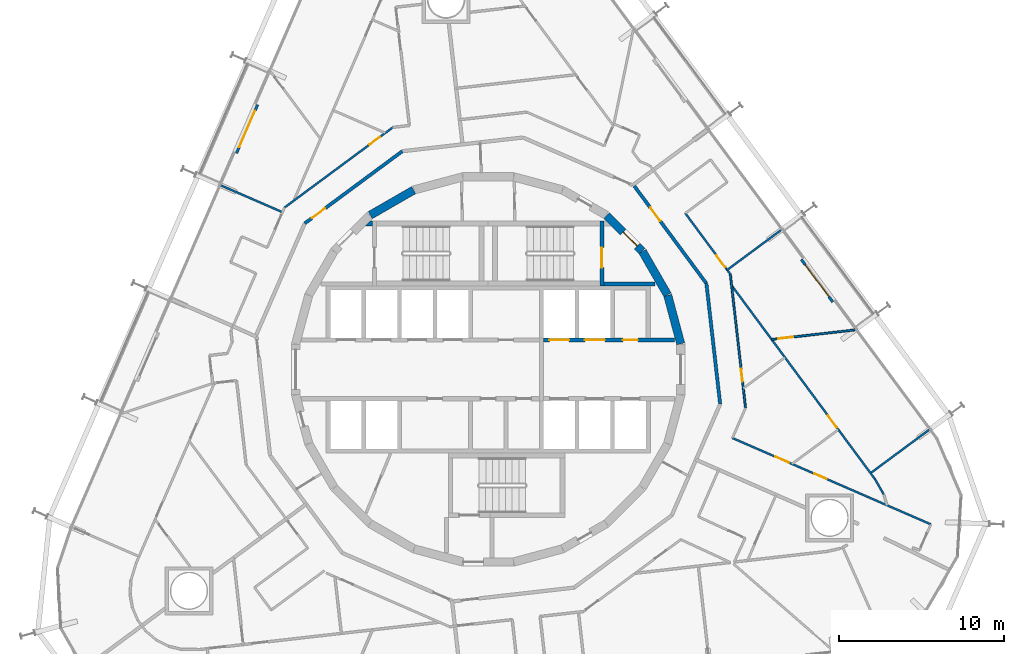
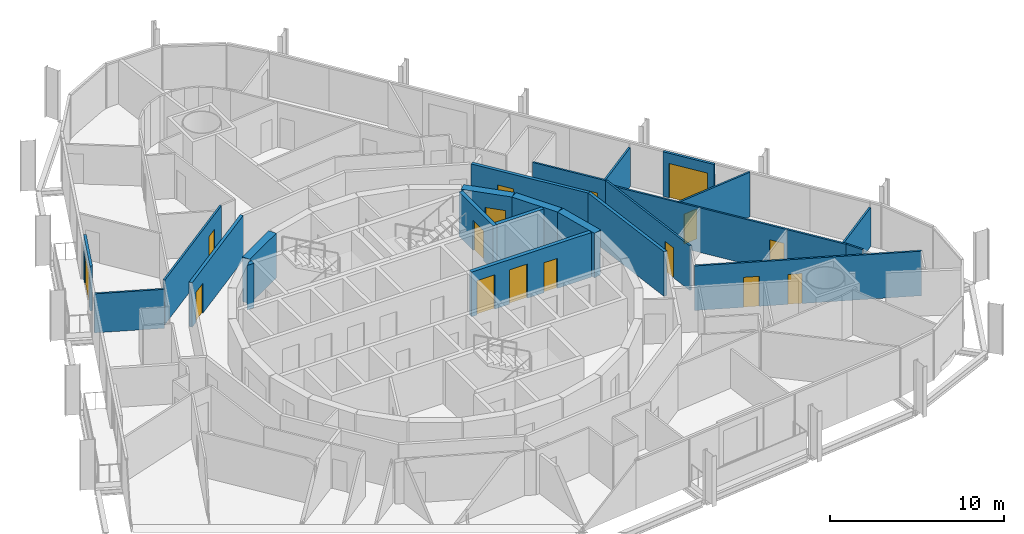
# One storey, part 20 of 23: 24 walls, 16 doors, 16 openings.
"""IFC4 building model written with IfcOpenShell, lengths in metres."""

from ifc_helpers import new_model, si_unit, direction, frame, frame_2d, origin, place, context, subcontext, project, spatial, polyline, rectangle, outline, extrude, material, layer, layer_set, type_object, element, fill, save


model = new_model("IFC4")

# Units and contexts
model_context = context("Model", 3, precision=1e-05, world=origin(), true_north=direction((0.0, 1.0)))
body_context = subcontext(model_context, "Body", "Model", "MODEL_VIEW")
ifc_project = project(units=[si_unit("LENGTHUNIT", "METRE"), si_unit("AREAUNIT", "SQUARE_METRE"), si_unit("VOLUMEUNIT", "CUBIC_METRE"), si_unit("PLANEANGLEUNIT", "RADIAN"), si_unit("MASSUNIT", "GRAM", prefix="KILO")], contexts=[model_context])

# Site, building, storey
site_placement = place(None, origin())
site = spatial("IfcSite", under=ifc_project, at=site_placement, CompositionType="ELEMENT")
building_placement = place(site_placement, origin())
building = spatial("IfcBuilding", under=site, at=building_placement, Name="Spindle Arch Residences", CompositionType="ELEMENT")
storey_placement = place(building_placement, frame((0.0, 0.0, 83.699951171875)))
storey = spatial("IfcBuildingStorey", under=building, at=storey_placement, Name="L19", CompositionType="ELEMENT", Elevation=83.699951171875)

# Walls
ifc_material_1 = material(Name="Concrete C50/60", Category="concrete")
ifc_layer_1 = layer(ifc_material_1, 0.5)
ifc_layer_set_1 = layer_set([ifc_layer_1], Name="Core outline wall 500")
wall_type_1 = type_object("IfcWallType", Name="Core outline wall 500", PredefinedType="SHEAR", material=ifc_layer_set_1)
for number, where, z_axis, x_axis, name in (
    (1, (11.642822265625, 1.5498046875, 0.0), (0.0, 0.0, 1.0), (-0.258734743916, 0.965948410781, 0.0), "Core outline wall 7"),
    (2, (10.84521484375, 4.510498046875, 0.0), (0.0, 0.0, 1.0), (-0.500087131594, 0.865975092491, 0.0), "Core outline wall 8"),
):
    element("IfcWall", number, at=place(storey_placement, frame(where, z_axis=z_axis, x_axis=x_axis)), inside=storey, type_object=wall_type_1, Name=name, PredefinedType="SHEAR", context=body_context, shape_type="SweptSolid", body=[
        extrude(rectangle(XDim=3.03271484375, YDim=0.5, at=frame_2d((1.516357421875, 0.0))), origin(), (0.0, 0.0, 1.0), 3.1201171875),
    ])

# Wall, opening, door
wall_1_placement = place(storey_placement, frame((9.30810546875, 7.163818359375, 0.0), z_axis=(0.0, 0.0, 1.0), x_axis=(-0.707106781187, 0.707106781187, 0.0)))
wall_1 = element("IfcWall", 3, at=wall_1_placement, inside=storey, type_object=wall_type_1, Name="Core outline wall 9", PredefinedType="SHEAR", context=body_context, shape_type="SweptSolid", body=[
    extrude(rectangle(XDim=3.032470703125, YDim=0.5, at=frame_2d((1.51611328125, 0.0))), origin(), (0.0, 0.0, 1.0), 3.1201171875),
])
opening_1_placement = place(wall_1_placement, frame((0.416259765625, 0.0, 0.0)))
opening_1 = element("IfcOpeningElement", 4, at=opening_1_placement, cuts=wall_1, Name="Opening R2A0-AD01", PredefinedType="OPENING", context=body_context, shape_type="SweptSolid", body=[
    extrude(rectangle(XDim=1.199951171875, YDim=2.10009765625, at=frame_2d((0.60009765625, 1.050048828125))), frame((0.0, 0.260009765625, 0.0), z_axis=(0.0, -1.0, 0.0), x_axis=(1.0, 0.0, 0.0)), (0.0, 0.0, 1.0), 0.52001953125),
])
ifc_material_2 = material(Name="Steel, fire-resisting door", Category="steel")
door_type_1 = type_object("IfcDoorType", Name="Stair airlock door 1200x2100", OperationType="SINGLE_SWING_LEFT", PredefinedType="DOOR", material=ifc_material_2)
door_1_placement = place(opening_1_placement, origin())
door_1 = element("IfcDoor", 5, at=door_1_placement, inside=storey, type_object=door_type_1, Name="Stair airlock door R2A0-AD01", OperationType="SINGLE_SWING_RIGHT", OverallHeight=2.10009765625, OverallWidth=1.199951171875, PredefinedType="DOOR", context=body_context, shape_type="SweptSolid", body=[
    extrude(rectangle(XDim=1.199951171875, YDim=2.10009765625, at=frame_2d((0.60009765625, 1.050048828125))), frame((0.0, 0.02490234375, 0.0), z_axis=(0.0, -1.0, 0.0), x_axis=(1.0, 0.0, 0.0)), (0.0, 0.0, 1.0), 0.050048828125),
])
fill(opening_1, door_1)

# Walls
wall_2_placement = place(storey_placement, frame((-4.510498046875, 10.84521484375, 0.0), z_axis=(0.0, 0.0, 1.0), x_axis=(-0.865975092491, -0.500087131594, 0.0)))
element("IfcWall", 6, at=wall_2_placement, inside=storey, type_object=wall_type_1, Name="Core outline wall 14", PredefinedType="SHEAR", context=body_context, shape_type="SweptSolid", body=[
    extrude(rectangle(XDim=3.03271484375, YDim=0.5, at=frame_2d((1.516357421875, 0.0))), origin(), (0.0, 0.0, 1.0), 3.1201171875),
])
ifc_material_3 = material(Name="Calcium silicate block, plastered")
ifc_layer_2 = layer(ifc_material_3, 0.199951171875)
ifc_layer_set_2 = layer_set([ifc_layer_2], Name="Corridor wall 200")
wall_type_2 = type_object("IfcWallType", Name="Corridor wall 200", PredefinedType="STANDARD", material=ifc_layer_set_2)
wall_3_placement = place(storey_placement, frame((14.027587890625, -2.096435546875, 0.0), z_axis=(0.0, 0.0, 1.0), x_axis=(-0.113226782163, 0.993569170114, 0.0)))
element("IfcWall", 7, at=wall_3_placement, inside=storey, type_object=wall_type_2, Name="Corridor wall R2A0-W005", PredefinedType="STANDARD", context=body_context, shape_type="SweptSolid", body=[
    extrude(rectangle(XDim=7.341796875, YDim=0.199951171875, at=frame_2d((3.6708984375, 0.0))), origin(), (0.0, 0.0, 1.0), 3.1201171875),
])

# Wall, opening, door
wall_4_placement = place(storey_placement, frame((13.1962890625, 5.1982421875, 0.0), z_axis=(0.0, 0.0, 1.0), x_axis=(-0.594805187394, 0.803869883159, 0.0)))
wall_4 = element("IfcWall", 8, at=wall_4_placement, inside=storey, type_object=wall_type_2, Name="Corridor wall R2A0-W006", PredefinedType="STANDARD", context=body_context, shape_type="SweptSolid", body=[
    extrude(rectangle(XDim=7.341796875, YDim=0.199951171875, at=frame_2d((3.6708984375, 0.0))), origin(), (0.0, 0.0, 1.0), 3.1201171875),
])
opening_2_placement = place(wall_4_placement, frame((4.699951171875, 0.0, 0.0)))
opening_2 = element("IfcOpeningElement", 9, at=opening_2_placement, cuts=wall_4, Name="Opening R2A0-FD01", PredefinedType="OPENING", context=body_context, shape_type="SweptSolid", body=[
    extrude(rectangle(XDim=1.0, YDim=2.10009765625, at=frame_2d((0.5, 1.050048828125))), frame((0.0, 0.10986328125, 0.0), z_axis=(0.0, -1.0, 0.0), x_axis=(1.0, 0.0, 0.0)), (0.0, 0.0, 1.0), 0.219970703125),
])
ifc_material_4 = material(Name="Timber, fire-resisting door set", Category="wood")
door_type_2 = type_object("IfcDoorType", Name="Flat entrance door 1000x2100", OperationType="NOTDEFINED", PredefinedType="DOOR", material=ifc_material_4)
door_2_placement = place(opening_2_placement, origin())
door_2 = element("IfcDoor", 10, at=door_2_placement, inside=storey, type_object=door_type_2, Name="Flat entrance door R2A0-FD01", OperationType="SINGLE_SWING_RIGHT", OverallHeight=2.10009765625, OverallWidth=1.0, PredefinedType="DOOR", context=body_context, shape_type="SweptSolid", body=[
    extrude(rectangle(XDim=1.0, YDim=2.10009765625, at=frame_2d((0.5, 1.050048828125))), frame((0.0, 0.02490234375, 0.0), z_axis=(0.0, -1.0, 0.0), x_axis=(1.0, 0.0, 0.0)), (0.0, 0.0, 1.0), 0.050048828125),
])
fill(opening_2, door_2)

wall_5_placement = place(storey_placement, frame((-5.1982421875, 13.1962890625, 0.0), z_axis=(0.0, 0.0, 1.0), x_axis=(-0.803869883159, -0.594805187394, 0.0)))
wall_5 = element("IfcWall", 11, at=wall_5_placement, inside=storey, type_object=wall_type_2, Name="Corridor wall R2A0-W009", PredefinedType="STANDARD", context=body_context, shape_type="SweptSolid", body=[
    extrude(rectangle(XDim=7.341796875, YDim=0.199951171875, at=frame_2d((3.6708984375, 0.0))), origin(), (0.0, 0.0, 1.0), 3.1201171875),
])
opening_3_placement = place(wall_5_placement, frame((5.800048828125, 0.0, 0.0)))
opening_3 = element("IfcOpeningElement", 12, at=opening_3_placement, cuts=wall_5, Name="Opening R2A0-FD03", PredefinedType="OPENING", context=body_context, shape_type="SweptSolid", body=[
    extrude(rectangle(XDim=1.0, YDim=2.10009765625, at=frame_2d((0.5, 1.050048828125))), frame((0.0, 0.10986328125, 0.0), z_axis=(0.0, -1.0, 0.0), x_axis=(1.0, 0.0, 0.0)), (0.0, 0.0, 1.0), 0.219970703125),
])
door_3_placement = place(opening_3_placement, origin())
door_3 = element("IfcDoor", 13, at=door_3_placement, inside=storey, type_object=door_type_2, Name="Flat entrance door R2A0-FD03", OperationType="SINGLE_SWING_LEFT", OverallHeight=2.10009765625, OverallWidth=1.0, PredefinedType="DOOR", context=body_context, shape_type="SweptSolid", body=[
    extrude(rectangle(XDim=1.0, YDim=2.10009765625, at=frame_2d((0.5, 1.050048828125))), frame((0.0, 0.02490234375, 0.0), z_axis=(0.0, -1.0, 0.0), x_axis=(1.0, 0.0, 0.0)), (0.0, 0.0, 1.0), 0.050048828125),
])
fill(opening_3, door_3)

# Wall, openings, doors
ifc_material_5 = material(Name="Concrete C40/50", Category="concrete")
ifc_layer_3 = layer(ifc_material_5, 0.25)
ifc_layer_set_3 = layer_set([ifc_layer_3], Name="Fire-lift lobby wall 250")
wall_type_3 = type_object("IfcWallType", Name="Fire-lift lobby wall 250", PredefinedType="SHEAR", material=ifc_layer_set_3)
wall_6_placement = place(storey_placement, frame((3.35009765625, 1.77490234375, 0.0), z_axis=(0.0, 0.0, 1.0), x_axis=(1.0, 0.0, 0.0)))
wall_6 = element("IfcWall", 14, at=wall_6_placement, inside=storey, type_object=wall_type_3, Name="Lift shaft front wall NE", PredefinedType="SHEAR", context=body_context, shape_type="SweptSolid", body=[
    extrude(rectangle(XDim=7.929931640625, YDim=0.25, at=frame_2d((3.96484375, 0.0))), origin(), (0.0, 0.0, 1.0), 3.1201171875),
])
opening_4_placement = place(wall_6_placement, frame((0.35009765625, 0.0, 0.0)))
opening_4 = element("IfcOpeningElement", 15, at=opening_4_placement, cuts=wall_6, Name="Opening R2A0-SLD01", PredefinedType="OPENING", context=body_context, shape_type="SweptSolid", body=[
    extrude(rectangle(XDim=1.199951171875, YDim=2.39990234375, at=frame_2d((0.60009765625, 1.199951171875))), frame((0.0, 0.135009765625, 0.0), z_axis=(0.0, -1.0, 0.0), x_axis=(1.0, 0.0, 0.0)), (0.0, 0.0, 1.0), 0.27001953125),
])
opening_5_placement = place(wall_6_placement, frame((2.5, 0.0, 0.0)))
opening_5 = element("IfcOpeningElement", 16, at=opening_5_placement, cuts=wall_6, Name="Opening R2A0-SLD02", PredefinedType="OPENING", context=body_context, shape_type="SweptSolid", body=[
    extrude(rectangle(XDim=1.199951171875, YDim=2.39990234375, at=frame_2d((0.60009765625, 1.199951171875))), frame((0.0, 0.135009765625, 0.0), z_axis=(0.0, -1.0, 0.0), x_axis=(1.0, 0.0, 0.0)), (0.0, 0.0, 1.0), 0.27001953125),
])
opening_6_placement = place(wall_6_placement, frame((4.800048828125, 0.0, 0.0)))
opening_6 = element("IfcOpeningElement", 17, at=opening_6_placement, cuts=wall_6, Name="Opening R2A0-WD02", PredefinedType="OPENING", context=body_context, shape_type="SweptSolid", body=[
    extrude(rectangle(XDim=0.89990234375, YDim=2.10009765625, at=frame_2d((0.449951171875, 1.050048828125))), frame((0.0, 0.135009765625, 0.0), z_axis=(0.0, -1.0, 0.0), x_axis=(1.0, 0.0, 0.0)), (0.0, 0.0, 1.0), 0.27001953125),
])
ifc_material_6 = material(Name="Steel, fire-resisting landing door", Category="steel")
door_type_3 = type_object("IfcDoorType", Name="Service lift landing door 1200x2400", OperationType="DOUBLE_DOOR_SLIDING", PredefinedType="DOOR", material=ifc_material_6)
door_4_placement = place(opening_4_placement, origin())
door_4 = element("IfcDoor", 18, at=door_4_placement, inside=storey, type_object=door_type_3, Name="Service lift landing door R2A0-SLD01", OperationType="DOUBLE_DOOR_SLIDING", OverallHeight=2.39990234375, OverallWidth=1.199951171875, PredefinedType="DOOR", context=body_context, shape_type="SweptSolid", body=[
    extrude(rectangle(XDim=1.199951171875, YDim=2.39990234375, at=frame_2d((0.60009765625, 1.199951171875))), frame((0.0, 0.02490234375, 0.0), z_axis=(0.0, -1.0, 0.0), x_axis=(1.0, 0.0, 0.0)), (0.0, 0.0, 1.0), 0.050048828125),
])
fill(opening_4, door_4)
door_5_placement = place(opening_5_placement, origin())
door_5 = element("IfcDoor", 19, at=door_5_placement, inside=storey, type_object=door_type_3, Name="Service lift landing door R2A0-SLD02", OperationType="DOUBLE_DOOR_SLIDING", OverallHeight=2.39990234375, OverallWidth=1.199951171875, PredefinedType="DOOR", context=body_context, shape_type="SweptSolid", body=[
    extrude(rectangle(XDim=1.199951171875, YDim=2.39990234375, at=frame_2d((0.60009765625, 1.199951171875))), frame((0.0, 0.02490234375, 0.0), z_axis=(0.0, -1.0, 0.0), x_axis=(1.0, 0.0, 0.0)), (0.0, 0.0, 1.0), 0.050048828125),
])
fill(opening_5, door_5)
ifc_material_7 = material(Name="Steel, fire-resisting door", Category="steel")
door_type_4 = type_object("IfcDoorType", Name="Service room door 900x2100", OperationType="SINGLE_SWING_LEFT", PredefinedType="DOOR", material=ifc_material_7)
door_6_placement = place(opening_6_placement, origin())
door_6 = element("IfcDoor", 20, at=door_6_placement, inside=storey, type_object=door_type_4, Name="Service room door R2A0-WD02", OperationType="SINGLE_SWING_LEFT", OverallHeight=2.10009765625, OverallWidth=0.89990234375, PredefinedType="DOOR", context=body_context, shape_type="SweptSolid", body=[
    extrude(rectangle(XDim=0.89990234375, YDim=2.10009765625, at=frame_2d((0.449951171875, 1.050048828125))), frame((0.0, 0.02490234375, 0.0), z_axis=(0.0, -1.0, 0.0), x_axis=(1.0, 0.0, 0.0)), (0.0, 0.0, 1.0), 0.050048828125),
])
fill(opening_6, door_6)

# Wall, opening, door
ifc_material_8 = material(Name="Plasterboard on steel studs", Category="steel")
ifc_layer_4 = layer(ifc_material_8, 0.1201171875)
ifc_layer_set_4 = layer_set([ifc_layer_4], Name="Flat partition 120")
wall_type_4 = type_object("IfcWallType", Name="Flat partition 120", PredefinedType="PARTITIONING", material=ifc_layer_set_4)
wall_7_placement = place(storey_placement, frame((15.563232421875, -2.325927734375, 0.0), z_axis=(0.0, 0.0, 1.0), x_axis=(-0.11320423706, 0.993571739087, 0.0)))
wall_7 = element("IfcWall", 21, at=wall_7_placement, inside=storey, type_object=wall_type_4, Name="Flat partition R2A0-W028", PredefinedType="PARTITIONING", context=body_context, shape_type="SweptSolid", body=[
    extrude(rectangle(XDim=8.1455078125, YDim=0.1201171875, at=frame_2d((4.07275390625, 0.0))), origin(), (0.0, 0.0, 1.0), 3.1201171875),
])
opening_7_placement = place(wall_7_placement, frame((1.592041015625, 0.0, 0.0)))
opening_7 = element("IfcOpeningElement", 22, at=opening_7_placement, cuts=wall_7, Name="Opening R2A0-BD01", PredefinedType="OPENING", context=body_context, shape_type="SweptSolid", body=[
    extrude(rectangle(XDim=0.800048828125, YDim=2.10009765625, at=frame_2d((0.39990234375, 1.050048828125))), frame((0.0, 0.070068359375, 0.0), z_axis=(0.0, -1.0, 0.0), x_axis=(1.0, 0.0, 0.0)), (0.0, 0.0, 1.0), 0.14013671875),
])
ifc_material_9 = material(Name="Timber door set", Category="wood")
door_type_5 = type_object("IfcDoorType", Name="Bathroom door 800x2100", OperationType="NOTDEFINED", PredefinedType="DOOR", material=ifc_material_9)
door_7_placement = place(opening_7_placement, origin())
door_7 = element("IfcDoor", 23, at=door_7_placement, inside=storey, type_object=door_type_5, Name="Bathroom door R2A0-BD01", OperationType="SINGLE_SWING_LEFT", OverallHeight=2.10009765625, OverallWidth=0.800048828125, PredefinedType="DOOR", context=body_context, shape_type="SweptSolid", body=[
    extrude(rectangle(XDim=0.800048828125, YDim=2.10009765625, at=frame_2d((0.39990234375, 1.050048828125))), frame((0.0, 0.02490234375, 0.0), z_axis=(0.0, -1.0, 0.0), x_axis=(1.0, 0.0, 0.0)), (0.0, 0.0, 1.0), 0.050048828125),
])
fill(opening_7, door_7)

wall_8_placement = place(storey_placement, frame((14.64111328125, 5.767333984375, 0.0), z_axis=(0.0, 0.0, 1.0), x_axis=(-0.594785744505, 0.803884269117, 0.0)))
wall_8 = element("IfcWall", 24, at=wall_8_placement, inside=storey, type_object=wall_type_4, Name="Flat partition R2A0-W029", PredefinedType="PARTITIONING", context=body_context, shape_type="SweptSolid", body=[
    extrude(rectangle(XDim=4.573486328125, YDim=0.1201171875, at=frame_2d((2.28662109375, 0.0))), origin(), (0.0, 0.0, 1.0), 3.1201171875),
])
opening_8_placement = place(wall_8_placement, frame((0.513427734375, 0.0, 0.0)))
opening_8 = element("IfcOpeningElement", 25, at=opening_8_placement, cuts=wall_8, Name="Opening R2A0-ID01", PredefinedType="OPENING", context=body_context, shape_type="SweptSolid", body=[
    extrude(rectangle(XDim=0.89990234375, YDim=2.10009765625, at=frame_2d((0.449951171875, 1.050048828125))), frame((0.0, 0.070068359375, 0.0), z_axis=(0.0, -1.0, 0.0), x_axis=(1.0, 0.0, 0.0)), (0.0, 0.0, 1.0), 0.14013671875),
])
ifc_material_10 = material(Name="Timber door set", Category="wood")
door_type_6 = type_object("IfcDoorType", Name="Room door 900x2100", OperationType="NOTDEFINED", PredefinedType="DOOR", material=ifc_material_10)
door_8_placement = place(opening_8_placement, origin())
door_8 = element("IfcDoor", 26, at=door_8_placement, inside=storey, type_object=door_type_6, Name="Room door R2A0-ID01", OperationType="SINGLE_SWING_LEFT", OverallHeight=2.10009765625, OverallWidth=0.89990234375, PredefinedType="DOOR", context=body_context, shape_type="SweptSolid", body=[
    extrude(rectangle(XDim=0.89990234375, YDim=2.10009765625, at=frame_2d((0.449951171875, 1.050048828125))), frame((0.0, 0.02490234375, 0.0), z_axis=(0.0, -1.0, 0.0), x_axis=(1.0, 0.0, 0.0)), (0.0, 0.0, 1.0), 0.050048828125),
])
fill(opening_8, door_8)

# Wall, openings, doors
wall_9_placement = place(storey_placement, frame((26.770263671875, -9.369140625, 0.0), z_axis=(0.0, 0.0, 1.0), x_axis=(-0.917058488031, 0.39875271727, 0.0)))
wall_9 = element("IfcWall", 27, at=wall_9_placement, inside=storey, type_object=wall_type_4, Name="Flat partition R2A0-W036", PredefinedType="PARTITIONING", context=body_context, shape_type="SweptSolid", body=[
    extrude(rectangle(XDim=13.0859375, YDim=0.1201171875, at=frame_2d((6.54296875, 0.0))), origin(), (0.0, 0.0, 1.0), 3.1201171875),
])
opening_9_placement = place(wall_9_placement, frame((6.889404296875, 0.0, 0.0)))
opening_9 = element("IfcOpeningElement", 28, at=opening_9_placement, cuts=wall_9, Name="Opening R2A0-BD02", PredefinedType="OPENING", context=body_context, shape_type="SweptSolid", body=[
    extrude(rectangle(XDim=0.800048828125, YDim=2.10009765625, at=frame_2d((0.39990234375, 1.050048828125))), frame((0.0, 0.070068359375, 0.0), z_axis=(0.0, -1.0, 0.0), x_axis=(1.0, 0.0, 0.0)), (0.0, 0.0, 1.0), 0.14013671875),
])
opening_10_placement = place(wall_9_placement, frame((9.358154296875, 0.0, 0.0)))
opening_10 = element("IfcOpeningElement", 29, at=opening_10_placement, cuts=wall_9, Name="Opening R2A0-ID03", PredefinedType="OPENING", context=body_context, shape_type="SweptSolid", body=[
    extrude(rectangle(XDim=0.89990234375, YDim=2.10009765625, at=frame_2d((0.449951171875, 1.050048828125))), frame((0.0, 0.070068359375, 0.0), z_axis=(0.0, -1.0, 0.0), x_axis=(1.0, 0.0, 0.0)), (0.0, 0.0, 1.0), 0.14013671875),
])
door_9_placement = place(opening_9_placement, origin())
door_9 = element("IfcDoor", 30, at=door_9_placement, inside=storey, type_object=door_type_5, Name="Bathroom door R2A0-BD02", OperationType="SINGLE_SWING_LEFT", OverallHeight=2.10009765625, OverallWidth=0.800048828125, PredefinedType="DOOR", context=body_context, shape_type="SweptSolid", body=[
    extrude(rectangle(XDim=0.800048828125, YDim=2.10009765625, at=frame_2d((0.39990234375, 1.050048828125))), frame((0.0, 0.02490234375, 0.0), z_axis=(0.0, -1.0, 0.0), x_axis=(1.0, 0.0, 0.0)), (0.0, 0.0, 1.0), 0.050048828125),
])
fill(opening_9, door_9)
door_10_placement = place(opening_10_placement, origin())
door_10 = element("IfcDoor", 31, at=door_10_placement, inside=storey, type_object=door_type_6, Name="Room door R2A0-ID03", OperationType="SINGLE_SWING_LEFT", OverallHeight=2.10009765625, OverallWidth=0.89990234375, PredefinedType="DOOR", context=body_context, shape_type="SweptSolid", body=[
    extrude(rectangle(XDim=0.89990234375, YDim=2.10009765625, at=frame_2d((0.449951171875, 1.050048828125))), frame((0.0, 0.02490234375, 0.0), z_axis=(0.0, -1.0, 0.0), x_axis=(1.0, 0.0, 0.0)), (0.0, 0.0, 1.0), 0.050048828125),
])
fill(opening_10, door_10)

# Wall, opening, door
wall_10_placement = place(storey_placement, frame((21.201171875, -3.673583984375, 0.0), z_axis=(0.0, 0.0, 1.0), x_axis=(-0.594822450109, 0.803857109719, 0.0)))
wall_10 = element("IfcWall", 32, at=wall_10_placement, inside=storey, type_object=wall_type_4, Name="Flat partition R2A0-W038", PredefinedType="PARTITIONING", context=body_context, shape_type="SweptSolid", body=[
    extrude(rectangle(XDim=10.898193359375, YDim=0.1201171875, at=frame_2d((5.44921875, 0.0))), origin(), (0.0, 0.0, 1.0), 3.1201171875),
])
opening_11_placement = place(wall_10_placement, frame((0.199951171875, 0.0, 0.0)))
opening_11 = element("IfcOpeningElement", 33, at=opening_11_placement, cuts=wall_10, Name="Opening R2A0-ID04", PredefinedType="OPENING", context=body_context, shape_type="SweptSolid", body=[
    extrude(rectangle(XDim=0.89990234375, YDim=2.10009765625, at=frame_2d((0.449951171875, 1.050048828125))), frame((0.0, 0.070068359375, 0.0), z_axis=(0.0, -1.0, 0.0), x_axis=(1.0, 0.0, 0.0)), (0.0, 0.0, 1.0), 0.14013671875),
])
door_11_placement = place(opening_11_placement, origin())
door_11 = element("IfcDoor", 34, at=door_11_placement, inside=storey, type_object=door_type_6, Name="Room door R2A0-ID04", OperationType="SINGLE_SWING_LEFT", OverallHeight=2.10009765625, OverallWidth=0.89990234375, PredefinedType="DOOR", context=body_context, shape_type="SweptSolid", body=[
    extrude(rectangle(XDim=0.89990234375, YDim=2.10009765625, at=frame_2d((0.449951171875, 1.050048828125))), frame((0.0, 0.02490234375, 0.0), z_axis=(0.0, -1.0, 0.0), x_axis=(1.0, 0.0, 0.0)), (0.0, 0.0, 1.0), 0.050048828125),
])
fill(opening_11, door_11)

wall_11_placement = place(storey_placement, frame((17.140869140625, 1.813720703125, 0.0), z_axis=(0.0, 0.0, 1.0), x_axis=(0.993575814944, 0.113168458319, 0.0)))
wall_11 = element("IfcWall", 35, at=wall_11_placement, inside=storey, type_object=wall_type_4, Name="Flat partition R2A0-W041", PredefinedType="PARTITIONING", context=body_context, shape_type="SweptSolid", body=[
    extrude(rectangle(XDim=5.08056640625, YDim=0.1201171875, at=frame_2d((2.540283203125, 0.0))), origin(), (0.0, 0.0, 1.0), 3.1201171875),
])
opening_12_placement = place(wall_11_placement, frame((0.39990234375, 0.0, 0.0)))
opening_12 = element("IfcOpeningElement", 36, at=opening_12_placement, cuts=wall_11, Name="Opening R2A0-ID05", PredefinedType="OPENING", context=body_context, shape_type="SweptSolid", body=[
    extrude(rectangle(XDim=0.89990234375, YDim=2.10009765625, at=frame_2d((0.449951171875, 1.050048828125))), frame((0.0, 0.070068359375, 0.0), z_axis=(0.0, -1.0, 0.0), x_axis=(1.0, 0.0, 0.0)), (0.0, 0.0, 1.0), 0.14013671875),
])
door_12_placement = place(opening_12_placement, origin())
door_12 = element("IfcDoor", 37, at=door_12_placement, inside=storey, type_object=door_type_6, Name="Room door R2A0-ID05", OperationType="SINGLE_SWING_LEFT", OverallHeight=2.10009765625, OverallWidth=0.89990234375, PredefinedType="DOOR", context=body_context, shape_type="SweptSolid", body=[
    extrude(rectangle(XDim=0.89990234375, YDim=2.10009765625, at=frame_2d((0.449951171875, 1.050048828125))), frame((0.0, 0.02490234375, 0.0), z_axis=(0.0, -1.0, 0.0), x_axis=(1.0, 0.0, 0.0)), (0.0, 0.0, 1.0), 0.050048828125),
])
fill(opening_12, door_12)

# Walls
wall_12_placement = place(storey_placement, frame((21.201171875, -3.673583984375, 0.0), z_axis=(0.0, 0.0, 1.0), x_axis=(0.594805265457, -0.803869825398, 0.0)))
element("IfcWall", 38, at=wall_12_placement, inside=storey, type_object=wall_type_4, Name="Flat partition R2A0-W042", PredefinedType="PARTITIONING", context=body_context, shape_type="SweptSolid", body=[
    extrude(rectangle(XDim=3.678466796875, YDim=0.1201171875, at=frame_2d((1.83935546875, 0.0))), origin(), (0.0, 0.0, 1.0), 3.1201171875),
])
wall_13_placement = place(storey_placement, frame((23.38916015625, -6.630615234375, 0.0), z_axis=(0.0, 0.0, 1.0), x_axis=(0.497348044937, -0.867551106389, 0.0)))
element("IfcWall", 39, at=wall_13_placement, inside=storey, type_object=wall_type_4, Name="Flat partition R2A0-W043", PredefinedType="PARTITIONING", context=body_context, shape_type="SweptSolid", body=[
    extrude(rectangle(XDim=1.0869140625, YDim=0.1201171875, at=frame_2d((0.54345703125, 0.0))), origin(), (0.0, 0.0, 1.0), 3.1201171875),
])

# Wall, opening, door
wall_14_placement = place(storey_placement, frame((-5.767333984375, 14.64111328125, 0.0), z_axis=(0.0, 0.0, 1.0), x_axis=(-0.803853364238, -0.594827511807, 0.0)))
wall_14 = element("IfcWall", 40, at=wall_14_placement, inside=storey, type_object=wall_type_4, Name="Flat partition R2A0-W067", PredefinedType="PARTITIONING", context=body_context, shape_type="SweptSolid", body=[
    extrude(rectangle(XDim=8.1455078125, YDim=0.1201171875, at=frame_2d((4.07275390625, 0.0))), origin(), (0.0, 0.0, 1.0), 3.1201171875),
])
opening_13_placement = place(wall_14_placement, frame((0.9697265625, 0.0, 0.0)))
opening_13 = element("IfcOpeningElement", 41, at=opening_13_placement, cuts=wall_14, Name="Opening R2A0-BD04", PredefinedType="OPENING", context=body_context, shape_type="SweptSolid", body=[
    extrude(rectangle(XDim=0.800048828125, YDim=2.10009765625, at=frame_2d((0.39990234375, 1.050048828125))), frame((0.0, 0.070068359375, 0.0), z_axis=(0.0, -1.0, 0.0), x_axis=(1.0, 0.0, 0.0)), (0.0, 0.0, 1.0), 0.14013671875),
])
door_13_placement = place(opening_13_placement, origin())
door_13 = element("IfcDoor", 42, at=door_13_placement, inside=storey, type_object=door_type_5, Name="Bathroom door R2A0-BD04", OperationType="SINGLE_SWING_LEFT", OverallHeight=2.10009765625, OverallWidth=0.800048828125, PredefinedType="DOOR", context=body_context, shape_type="SweptSolid", body=[
    extrude(rectangle(XDim=0.800048828125, YDim=2.10009765625, at=frame_2d((0.39990234375, 1.050048828125))), frame((0.0, 0.02490234375, 0.0), z_axis=(0.0, -1.0, 0.0), x_axis=(1.0, 0.0, 0.0)), (0.0, 0.0, 1.0), 0.050048828125),
])
fill(opening_13, door_13)

# Walls
ifc_material_11 = material(Name="Plasterboard on steel studs", Category="steel")
ifc_layer_5 = layer(ifc_material_11, 0.1201171875)
ifc_layer_set_5 = layer_set([ifc_layer_5], Name="Flat partition 120 under beam 2730")
wall_type_5 = type_object("IfcWallType", Name="Flat partition 120 under beam 2730", PredefinedType="PARTITIONING", material=ifc_layer_set_5)
wall_15_placement = place(storey_placement, frame((17.716552734375, 8.432861328125, 0.0), z_axis=(0.0, 0.0, 1.0), x_axis=(-0.803853407146, -0.594827453821, 0.0)))
element("IfcWall", 43, at=wall_15_placement, inside=storey, type_object=wall_type_5, Name="Flat partition R2A0-W040", PredefinedType="PARTITIONING", context=body_context, shape_type="SweptSolid", body=[
    extrude(rectangle(XDim=4.0576171875, YDim=0.1201171875, at=frame_2d((2.02880859375, 0.0))), origin(), (0.0, 0.0, 1.0), 2.72998046875),
])
wall_16_placement = place(storey_placement, frame((26.6611328125, -3.6552734375, 0.0), z_axis=(0.0, 0.0, 1.0), x_axis=(-0.803825449575, -0.594865233995, 0.0)))
element("IfcWall", 44, at=wall_16_placement, inside=storey, type_object=wall_type_5, Name="Flat partition R2A0-W045", PredefinedType="PARTITIONING", context=body_context, shape_type="SweptSolid", body=[
    extrude(rectangle(XDim=4.400146484375, YDim=0.1201171875, at=frame_2d((2.2001953125, 0.0))), origin(), (0.0, 0.0, 1.0), 2.72998046875),
])
wall_17_placement = place(storey_placement, frame((-16.1611328125, 11.12646484375, 0.0), z_axis=(0.0, 0.0, 1.0), x_axis=(0.91705953326, -0.398750313425, 0.0)))
element("IfcWall", 45, at=wall_17_placement, inside=storey, type_object=wall_type_5, Name="Flat partition R2A0-W082", PredefinedType="PARTITIONING", context=body_context, shape_type="SweptSolid", body=[
    extrude(rectangle(XDim=4.057373046875, YDim=0.1201171875, at=frame_2d((2.02880859375, 0.0))), origin(), (0.0, 0.0, 1.0), 2.72998046875),
])

# Wall, opening, door
ifc_material_12 = material(Name="Non-combustible mineral wool insulated aluminium faced external wall (K0)", Category="aluminium")
ifc_layer_6 = layer(ifc_material_12, 0.159912109375)
ifc_layer_set_6 = layer_set([ifc_layer_6], Name="Insulated external wall panel 160")
wall_type_6 = type_object("IfcWallType", Name="Insulated external wall panel 160", PredefinedType="STANDARD", material=ifc_layer_set_6)
wall_18_placement = place(storey_placement, frame((20.840087890625, 4.076904296875, 0.0), z_axis=(0.0, 0.0, 1.0), x_axis=(-0.594824273168, 0.803855760725, 0.0)))
wall_18 = element("IfcWall", 46, at=wall_18_placement, inside=storey, type_object=wall_type_6, Name="External wall L19 bay 7", PredefinedType="STANDARD", context=body_context, shape_type="SweptSolid", body=[
    extrude(rectangle(XDim=3.2001953125, YDim=0.159912109375, at=frame_2d((1.60009765625, 0.0))), origin(), (0.0, 0.0, 1.0), 3.1201171875),
])
opening_14_placement = place(wall_18_placement, frame((0.39990234375, 0.0, 0.0)))
opening_14 = element("IfcOpeningElement", 47, at=opening_14_placement, cuts=wall_18, Name="Opening BD07", PredefinedType="OPENING", context=body_context, shape_type="SweptSolid", body=[
    extrude(rectangle(XDim=2.39990234375, YDim=2.39990234375, at=frame_2d((1.199951171875, 1.199951171875))), frame((0.0, 0.08984375, 0.0), z_axis=(0.0, -1.0, 0.0), x_axis=(1.0, 0.0, 0.0)), (0.0, 0.0, 1.0), 0.179931640625),
])
ifc_material_13 = material(Name="Bronze aluminium frame, tinted double glazing", Category="aluminium")
door_type_7 = type_object("IfcDoorType", Name="Sliding glazed balcony door 2400x2400", OperationType="DOUBLE_DOOR_SLIDING", PredefinedType="DOOR", material=ifc_material_13)
door_14_placement = place(opening_14_placement, origin())
door_14 = element("IfcDoor", 48, at=door_14_placement, inside=storey, type_object=door_type_7, Name="Balcony door BD07", OperationType="DOUBLE_DOOR_SLIDING", OverallHeight=2.39990234375, OverallWidth=2.39990234375, PredefinedType="DOOR", context=body_context, shape_type="SweptSolid", body=[
    extrude(rectangle(XDim=2.39990234375, YDim=2.39990234375, at=frame_2d((1.199951171875, 1.199951171875))), frame((0.0, 0.02490234375, 0.0), z_axis=(0.0, -1.0, 0.0), x_axis=(1.0, 0.0, 0.0)), (0.0, 0.0, 1.0), 0.050048828125),
])
fill(opening_14, door_14)

wall_19_placement = place(storey_placement, frame((-13.950927734375, 16.009521484375, 0.0), z_axis=(0.0, 0.0, 1.0), x_axis=(-0.398720531764, -0.917072482168, 0.0)))
wall_19 = element("IfcWall", 49, at=wall_19_placement, inside=storey, type_object=wall_type_6, Name="External wall L19 bay 15", PredefinedType="STANDARD", context=body_context, shape_type="SweptSolid", body=[
    extrude(rectangle(XDim=3.199951171875, YDim=0.159912109375, at=frame_2d((1.60009765625, 0.0))), origin(), (0.0, 0.0, 1.0), 3.1201171875),
])
opening_15_placement = place(wall_19_placement, frame((0.39990234375, 0.0, 0.0)))
opening_15 = element("IfcOpeningElement", 50, at=opening_15_placement, cuts=wall_19, Name="Opening BD15", PredefinedType="OPENING", context=body_context, shape_type="SweptSolid", body=[
    extrude(rectangle(XDim=2.39990234375, YDim=2.39990234375, at=frame_2d((1.199951171875, 1.199951171875))), frame((0.0, 0.08984375, 0.0), z_axis=(0.0, -1.0, 0.0), x_axis=(1.0, 0.0, 0.0)), (0.0, 0.0, 1.0), 0.179931640625),
])
door_15_placement = place(opening_15_placement, origin())
door_15 = element("IfcDoor", 51, at=door_15_placement, inside=storey, type_object=door_type_7, Name="Balcony door BD15", OperationType="DOUBLE_DOOR_SLIDING", OverallHeight=2.39990234375, OverallWidth=2.39990234375, PredefinedType="DOOR", context=body_context, shape_type="SweptSolid", body=[
    extrude(rectangle(XDim=2.39990234375, YDim=2.39990234375, at=frame_2d((1.199951171875, 1.199951171875))), frame((0.0, 0.02490234375, 0.0), z_axis=(0.0, -1.0, 0.0), x_axis=(1.0, 0.0, 0.0)), (0.0, 0.0, 1.0), 0.050048828125),
])
fill(opening_15, door_15)

# Walls
ifc_material_14 = material(Name="Concrete C40/50", Category="concrete")
ifc_layer_7 = layer(ifc_material_14, 0.25)
ifc_layer_set_7 = layer_set([ifc_layer_7], Name="Stair airlock wall 250")
wall_type_7 = type_object("IfcWallType", Name="Stair airlock wall 250", PredefinedType="SHEAR", material=ifc_layer_set_7)
wall_20_placement = place(storey_placement, frame((7.0, 5.175048828125, 0.0), z_axis=(0.0, 0.0, 1.0), x_axis=(1.0, 0.0, 0.0)))
element("IfcWall", 52, at=wall_20_placement, inside=storey, type_object=wall_type_7, Name="Stair ST-1 airlock wall S", PredefinedType="SHEAR", context=body_context, shape_type="SweptSolid", body=[
    extrude(rectangle(XDim=3.10009765625, YDim=0.25, at=frame_2d((1.550048828125, 0.0))), origin(), (0.0, 0.0, 1.0), 3.1201171875),
])
ifc_material_15 = material(Name="Concrete C40/50", Category="concrete")
wall_type_8 = type_object("IfcWallType", Name="Stair airlock wall profile", PredefinedType="SHEAR", material=ifc_material_15)
wall_21_placement = place(storey_placement, origin())
element("IfcWall", 53, at=wall_21_placement, inside=storey, type_object=wall_type_8, Name="Stair ST-2 airlock wall N", PredefinedType="SHEAR", context=body_context, shape_type="SweptSolid", body=[
    extrude(outline(polyline([(-7.148193359375, 8.969970703125), (-7.0, 8.969970703125), (-7.0, 8.669921875), (-7.4482421875, 8.669921875), (-7.148193359375, 8.969970703125)])), origin(), (0.0, 0.0, 1.0), 3.1201171875),
])

# Wall, opening, door
ifc_material_16 = material(Name="Concrete C50/60", Category="concrete")
ifc_layer_8 = layer(ifc_material_16, 0.25)
ifc_layer_set_8 = layer_set([ifc_layer_8], Name="Stair enclosure wall 250")
wall_type_9 = type_object("IfcWallType", Name="Stair enclosure wall 250", PredefinedType="SHEAR", material=ifc_layer_set_8)
wall_22_placement = place(storey_placement, frame((6.875, 5.050048828125, 0.0), z_axis=(0.0, 0.0, 1.0), x_axis=(0.0, 1.0, 0.0)))
wall_22 = element("IfcWall", 54, at=wall_22_placement, inside=storey, type_object=wall_type_9, Name="Stair ST-1 door wall", PredefinedType="SHEAR", context=body_context, shape_type="SweptSolid", body=[
    extrude(rectangle(XDim=3.919921875, YDim=0.25, at=frame_2d((1.9599609375, 0.0))), origin(), (0.0, 0.0, 1.0), 3.1201171875),
])
opening_16_placement = place(wall_22_placement, frame((1.110107421875, 0.0, 0.0)))
opening_16 = element("IfcOpeningElement", 55, at=opening_16_placement, cuts=wall_22, Name="Opening R2A0-SD01", PredefinedType="OPENING", context=body_context, shape_type="SweptSolid", body=[
    extrude(rectangle(XDim=1.199951171875, YDim=2.10009765625, at=frame_2d((0.60009765625, 1.050048828125))), frame((0.0, 0.135009765625, 0.0), z_axis=(0.0, -1.0, 0.0), x_axis=(1.0, 0.0, 0.0)), (0.0, 0.0, 1.0), 0.27001953125),
])
ifc_material_17 = material(Name="Steel, fire-resisting door", Category="steel")
door_type_8 = type_object("IfcDoorType", Name="Stair door 1200x2100", OperationType="SINGLE_SWING_RIGHT", PredefinedType="DOOR", material=ifc_material_17)
door_16_placement = place(opening_16_placement, origin())
door_16 = element("IfcDoor", 56, at=door_16_placement, inside=storey, type_object=door_type_8, Name="Stair door R2A0-SD01", OperationType="SINGLE_SWING_LEFT", OverallHeight=2.10009765625, OverallWidth=1.199951171875, PredefinedType="DOOR", context=body_context, shape_type="SweptSolid", body=[
    extrude(rectangle(XDim=1.199951171875, YDim=2.10009765625, at=frame_2d((0.60009765625, 1.050048828125))), frame((0.0, 0.02490234375, 0.0), z_axis=(0.0, -1.0, 0.0), x_axis=(1.0, 0.0, 0.0)), (0.0, 0.0, 1.0), 0.050048828125),
])
fill(opening_16, door_16)

save(model, "model.ifc")
